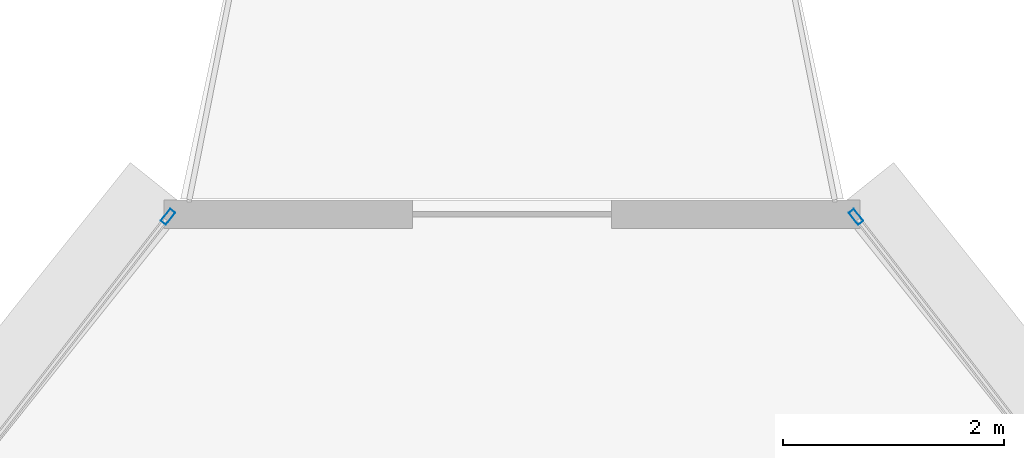
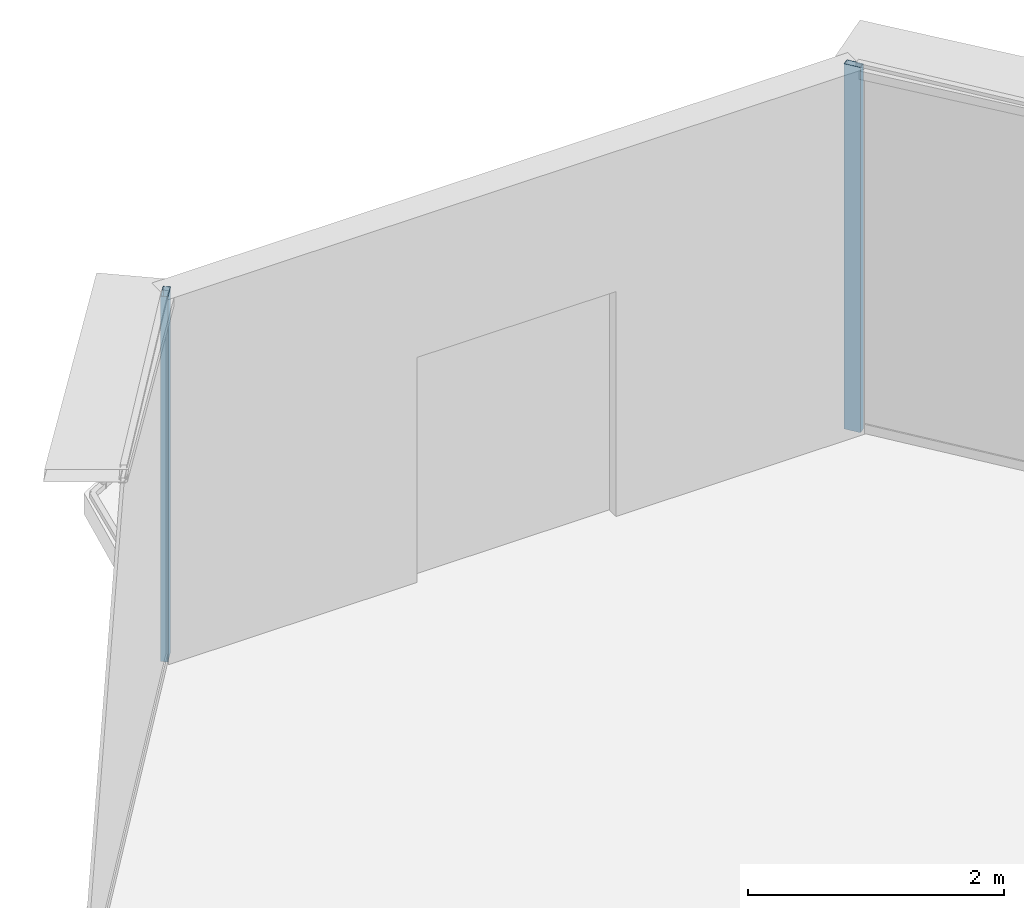
# One storey, part 19 of 28: 2 members, 2 elements without a shape of their own.
"""IFC4 building model written with IfcOpenShell, lengths in metres."""

from ifc_helpers import new_model, si_unit, direction, frame, origin, origin_2d, place, context, subcontext, project, spatial, hollow_rectangle, extrude, source, transform, mapped, material, layer, layer_set, material_profile, profile_set, type_object, element, aggregate, save


model = new_model("IFC4")

# Units and contexts
model_context = context("Model", 3, precision=1e-05, world=origin(), true_north=direction((0.0, 1.0)))
body_context = subcontext(model_context, "Body", "Model", "MODEL_VIEW")
ifc_project = project(units=[si_unit("LENGTHUNIT", "METRE"), si_unit("AREAUNIT", "SQUARE_METRE"), si_unit("VOLUMEUNIT", "CUBIC_METRE"), si_unit("PLANEANGLEUNIT", "RADIAN"), si_unit("MASSUNIT", "GRAM", prefix="KILO"), si_unit("THERMODYNAMICTEMPERATUREUNIT", "KELVIN"), si_unit("POWERUNIT", "WATT")], contexts=[model_context])

# Site, building, storey
site_placement = place(None, origin())
site = spatial("IfcSite", under=ifc_project, at=site_placement, CompositionType="ELEMENT")
building_placement = place(site_placement, origin())
building = spatial("IfcBuilding", under=site, at=building_placement, Name="Yunzhuo Pagoda Commons", CompositionType="ELEMENT")
storey_placement = place(building_placement, frame((0.0, 0.0, 336.760009765625)))
storey = spatial("IfcBuildingStorey", under=building, at=storey_placement, Name="L84", CompositionType="ELEMENT", Elevation=336.760009765625)

# Curtain wall, member
ifc_material = material(Name="Anodized aluminium 6063-T6", Category="aluminium")
ifc_layer = layer(ifc_material, 0.139892578125)
ifc_layer_set = layer_set([ifc_layer], Name="Anodized aluminium 6063-T6")
curtain_wall_type = type_object("IfcCurtainWallType", Name="CW-HI High-Zone Ribbon Curtain Wall", PredefinedType="NOTDEFINED", material=ifc_layer_set)
curtain_wall_1_placement = place(storey_placement, origin())
curtain_wall_1 = element("IfcCurtainWall", 1, at=curtain_wall_1_placement, inside=storey, type_object=curtain_wall_type, Name="L84 curtain wall CW-L84-F2B5", PredefinedType="NOTDEFINED")
ifc_material_profile = material_profile(ifc_material, hollow_rectangle(XDim=0.06005859375, YDim=0.139892578125, WallThickness=0.00341796875, at=origin_2d()), Name="Anodized aluminium 6063-T6")
ifc_profile_set = profile_set([ifc_material_profile], Name="Anodized aluminium 6063-T6")
member_type = type_object("IfcMemberType", Name="CW-HI-M Mullion RHS 140x60x3.5", PredefinedType="MULLION", material=ifc_profile_set)
shared_shape = source(origin(), body_context, "Body", "SweptSolid", [
    extrude(hollow_rectangle(XDim=0.06005859375, YDim=0.139892578125, WallThickness=0.00341796875, at=origin_2d()), origin(), (0.0, 0.0, 1.0), 3.489990234375),
])
member_1_placement = place(storey_placement, frame((51.10986328125, 71.757568359375, 0.0), z_axis=(0.0, 0.0, 1.0), x_axis=(-0.79052744869, -0.612426610189, 0.0)))
member_1 = element("IfcMember", 2, at=member_1_placement, type_object=member_type, Name="CW mullion 2", PredefinedType="MULLION", context=body_context, shape_type="MappedRepresentation", body=[
    mapped(shared_shape, transform((0.0, 0.0, 0.0), scale=1.0)),
])
aggregate(curtain_wall_1, [member_1])

curtain_wall_2_placement = place(storey_placement, origin())
curtain_wall_2 = element("IfcCurtainWall", 3, at=curtain_wall_2_placement, inside=storey, type_object=curtain_wall_type, Name="L84 curtain wall CW-L84-F3B1", PredefinedType="NOTDEFINED")
member_2_placement = place(storey_placement, frame((44.89013671875, 71.757568359375, 0.0), z_axis=(0.0, 0.0, 1.0), x_axis=(0.79052744869, -0.612426610189, 0.0)))
member_2 = element("IfcMember", 4, at=member_2_placement, type_object=member_type, Name="CW mullion 1", PredefinedType="MULLION", context=body_context, shape_type="MappedRepresentation", body=[
    mapped(shared_shape, transform((0.0, 0.0, 0.0), scale=1.0)),
])
aggregate(curtain_wall_2, [member_2])

save(model, "model.ifc")
